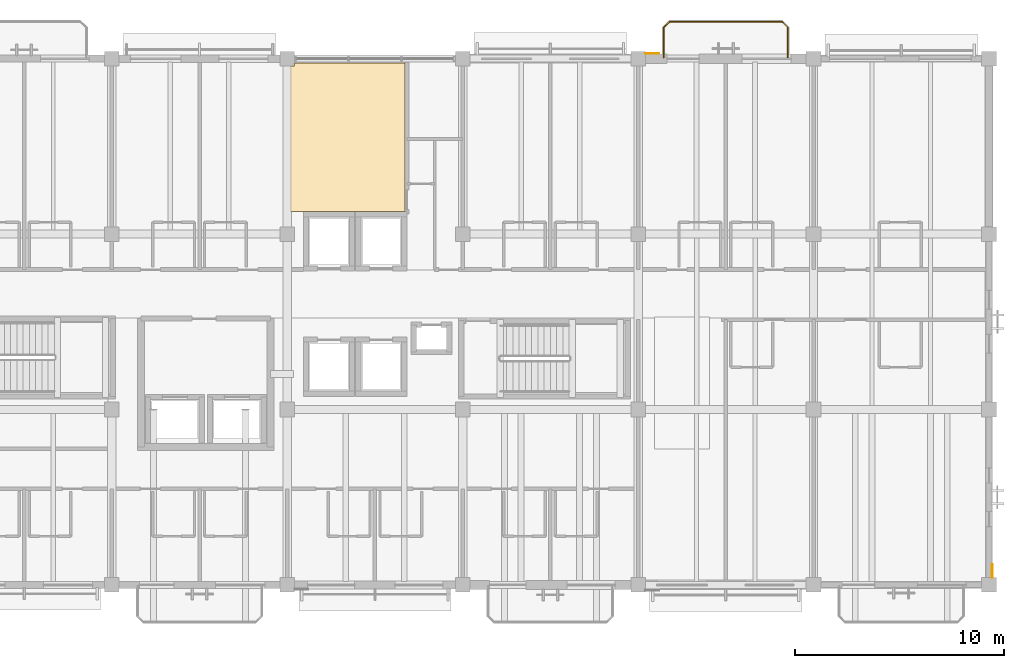
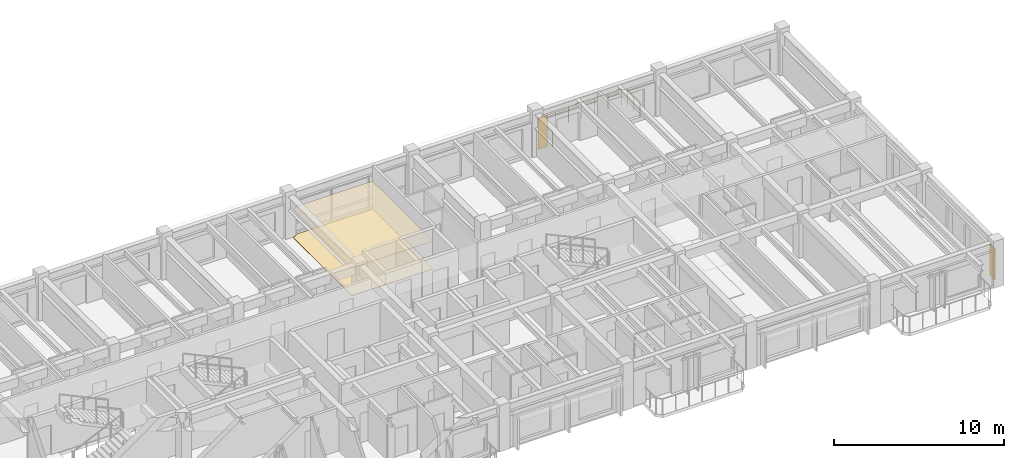
# One storey, part 18 of 18: 4 coverings, 1 railing.
"""IFC4 building model written with IfcOpenShell, lengths in metres."""

from ifc_helpers import new_model, si_unit, direction, frame, origin, origin_2d, place, context, subcontext, project, spatial, polyline, circle, outline, extrude, material, layer, layer_set, type_object, element, save


model = new_model("IFC4")

# Units and contexts
model_context = context("Model", 3, precision=1e-05, world=origin(), true_north=direction((0.0, 1.0)))
body_context = subcontext(model_context, "Body", "Model", "MODEL_VIEW")
ifc_project = project(units=[si_unit("LENGTHUNIT", "METRE"), si_unit("AREAUNIT", "SQUARE_METRE"), si_unit("VOLUMEUNIT", "CUBIC_METRE"), si_unit("PLANEANGLEUNIT", "RADIAN"), si_unit("MASSUNIT", "GRAM", prefix="KILO")], contexts=[model_context])

# Site, building, storey
site_placement = place(None, origin())
site = spatial("IfcSite", under=ifc_project, at=site_placement, CompositionType="ELEMENT")
building_placement = place(site_placement, origin())
building = spatial("IfcBuilding", under=site, at=building_placement, Name="Cumbredor Promenade Congress Hotel", CompositionType="ELEMENT")
storey_placement = place(building_placement, frame((0.0, 0.0, 25.199951171875)))
storey = spatial("IfcBuildingStorey", under=building, at=storey_placement, Name="L07", CompositionType="ELEMENT", Elevation=25.199951171875)

# Coverings
ifc_material_1 = material(Name="Acoustic mineral-fiber and gypsum ceiling")
ifc_layer_1 = layer(ifc_material_1, 0.028076171875, Name="Acoustic mineral-fiber and gypsum ceiling")
ifc_layer_set_1 = layer_set([ifc_layer_1], Name="Acoustic mineral-fiber and gypsum ceiling")
covering_type_1 = type_object("IfcCoveringType", Name="Acoustic Perforated Gypsum Ceiling CLG-03 28mm", PredefinedType="CEILING", material=ifc_layer_set_1)
covering_1_placement = place(storey_placement, frame((0.0, 0.0, 2.0009765625)))
element("IfcCovering", 1, at=covering_1_placement, inside=storey, type_object=covering_type_1, Name="L07 Cordillera Reading Salon Acoustic Ceiling", PredefinedType="CEILING", context=body_context, shape_type="SweptSolid", body=[
    extrude(outline(polyline([(39.239990234375, 117.39990234375), (39.239990234375, 110.280029296875), (33.72998046875, 110.280029296875), (33.72998046875, 117.2451171875), (33.955078125, 117.2451171875), (33.955078125, 117.39990234375), (39.239990234375, 117.39990234375)])), origin(), (0.0, 0.0, 1.0), 0.028076171875),
])
ifc_material_2 = material(Name="Precast concrete C40/50", Category="concrete")
ifc_layer_2 = layer(ifc_material_2, 0.044921875, Name="Precast concrete C40/50", Category="concrete")
ifc_layer_set_2 = layer_set([ifc_layer_2], Name="Precast concrete C40/50")
covering_type_2 = type_object("IfcCoveringType", Name="Board-Formed Architectural Cladding Panel 45mm", PredefinedType="CLADDING", material=ifc_layer_set_2)
covering_2_placement = place(storey_placement, origin())
element("IfcCovering", 2, at=covering_2_placement, inside=storey, type_object=covering_type_2, Name="L07 Facade Stone Cladding Pier 230", PredefinedType="CLADDING", context=body_context, shape_type="SweptSolid", body=[
    extrude(outline(polyline([(67.340087890625, 92.7509765625), (67.340087890625, 93.40087890625), (67.385009765625, 93.40087890625), (67.385009765625, 92.7509765625), (67.340087890625, 92.7509765625)])), origin(), (0.0, 0.0, 1.0), 2.25),
])
ifc_material_3 = material(Name="Porcelain stoneware tile", Category="masonry")
ifc_layer_3 = layer(ifc_material_3, 0.02490234375, Name="Porcelain stoneware tile", Category="masonry")
ifc_layer_set_3 = layer_set([ifc_layer_3], Name="Porcelain stoneware tile")
covering_type_3 = type_object("IfcCoveringType", Name="Porcelain Stoneware Flooring FLR-02 25mm", PredefinedType="FLOORING", material=ifc_layer_set_3)
covering_3_placement = place(storey_placement, origin())
element("IfcCovering", 3, at=covering_3_placement, inside=storey, type_object=covering_type_3, Name="L07 Cordillera Reading Salon Porcelain Flooring", PredefinedType="FLOORING", context=body_context, shape_type="SweptSolid", body=[
    extrude(outline(polyline([(39.239990234375, 117.39990234375), (39.239990234375, 110.280029296875), (33.72998046875, 110.280029296875), (33.72998046875, 117.2451171875), (33.955078125, 117.2451171875), (33.955078125, 117.39990234375), (39.239990234375, 117.39990234375)])), origin(), (0.0, 0.0, 1.0), 0.025146484375),
])

# Railing
ifc_material_4 = material(Name="Brushed stainless steel", Category="steel")
railing_type = type_object("IfcRailingType", Name="Sky Garden Glass-and-Steel Balustrade BAL-1150", PredefinedType="BALUSTRADE", material=ifc_material_4)
railing_placement = place(storey_placement, frame((51.6298828125, 117.64990234375, 0.0)))
element("IfcRailing", 4, at=railing_placement, inside=storey, type_object=railing_type, Name="L07 Veranda Balcony Balustrade 044", PredefinedType="BALUSTRADE", context=body_context, shape_type="SweptSolid", body=[
    extrude(circle(Radius=0.02392578125, at=origin_2d()), frame((0.0, 0.0, 1.1259765625), z_axis=(0.0, 1.0, 0.0), x_axis=(-1.0, 0.0, 0.0)), (0.0, 0.0, 1.0), 1.440185546875),
    extrude(circle(Radius=0.02392578125, at=origin_2d()), frame((0.0, 1.440185546875, 1.1259765625), z_axis=(0.707106781187, 0.707106781187, 0.0), x_axis=(-0.707106781187, 0.707106781187, 0.0)), (0.0, 0.0, 1.0), 0.39599609375),
    extrude(circle(Radius=0.02392578125, at=origin_2d()), frame((0.280029296875, 1.72021484375, 1.1259765625), z_axis=(1.0, 0.0, 0.0), x_axis=(0.0, 1.0, 0.0)), (0.0, 0.0, 1.0), 5.380126953125),
    extrude(circle(Radius=0.02392578125, at=origin_2d()), frame((5.66015625, 1.72021484375, 1.1259765625), z_axis=(0.707106781187, -0.707106781187, 0.0), x_axis=(0.707106781187, 0.707106781187, 0.0)), (0.0, 0.0, 1.0), 0.39599609375),
    extrude(circle(Radius=0.02392578125, at=origin_2d()), frame((5.940185546875, 1.440185546875, 1.1259765625), z_axis=(0.0, -1.0, 0.0), x_axis=(1.0, 0.0, 0.0)), (0.0, 0.0, 1.0), 1.440185546875),
    extrude(circle(Radius=0.02099609375, at=origin_2d()), origin(), (0.0, 0.0, 1.0), 1.101806640625),
    extrude(circle(Radius=0.02099609375, at=origin_2d()), frame((0.0, 0.72021484375, 0.0)), (0.0, 0.0, 1.0), 1.101806640625),
    extrude(circle(Radius=0.02099609375, at=origin_2d()), frame((0.0, 1.440185546875, 0.0)), (0.0, 0.0, 1.0), 1.101806640625),
    extrude(circle(Radius=0.02099609375, at=origin_2d()), frame((0.280029296875, 1.72021484375, 0.0)), (0.0, 0.0, 1.0), 1.101806640625),
    extrude(circle(Radius=0.02099609375, at=origin_2d()), frame((1.1767578125, 1.72021484375, 0.0)), (0.0, 0.0, 1.0), 1.101806640625),
    extrude(circle(Radius=0.02099609375, at=origin_2d()), frame((2.073486328125, 1.72021484375, 0.0)), (0.0, 0.0, 1.0), 1.101806640625),
    extrude(circle(Radius=0.02099609375, at=origin_2d()), frame((2.97021484375, 1.72021484375, 0.0)), (0.0, 0.0, 1.0), 1.101806640625),
    extrude(circle(Radius=0.02099609375, at=origin_2d()), frame((3.86669921875, 1.72021484375, 0.0)), (0.0, 0.0, 1.0), 1.101806640625),
    extrude(circle(Radius=0.02099609375, at=origin_2d()), frame((4.763427734375, 1.72021484375, 0.0)), (0.0, 0.0, 1.0), 1.101806640625),
    extrude(circle(Radius=0.02099609375, at=origin_2d()), frame((5.66015625, 1.72021484375, 0.0)), (0.0, 0.0, 1.0), 1.101806640625),
    extrude(circle(Radius=0.02099609375, at=origin_2d()), frame((5.940185546875, 1.440185546875, 0.0)), (0.0, 0.0, 1.0), 1.101806640625),
    extrude(circle(Radius=0.02099609375, at=origin_2d()), frame((5.940185546875, 0.72021484375, 0.0)), (0.0, 0.0, 1.0), 1.101806640625),
    extrude(circle(Radius=0.02099609375, at=origin_2d()), frame((5.940185546875, 0.0, 0.0)), (0.0, 0.0, 1.0), 1.101806640625),
])

# Covering
ifc_material_5 = material(Name="Volcanic andesite ashlar cladding", Category="masonry")
ifc_layer_4 = layer(ifc_material_5, 0.034912109375, Name="Volcanic andesite ashlar cladding", Category="masonry")
ifc_layer_set_4 = layer_set([ifc_layer_4], Name="Volcanic andesite ashlar cladding")
covering_type_4 = type_object("IfcCoveringType", Name="Volcanic Andesite Ashlar Rainscreen Cladding 35mm", PredefinedType="CLADDING", material=ifc_layer_set_4)
covering_4_placement = place(storey_placement, origin())
element("IfcCovering", 5, at=covering_4_placement, inside=storey, type_object=covering_type_4, Name="L07 Facade Stone Cladding Pier 227", PredefinedType="CLADDING", context=body_context, shape_type="SweptSolid", body=[
    extrude(outline(polyline([(50.7509765625, 117.824951171875), (51.40087890625, 117.824951171875), (51.40087890625, 117.860107421875), (50.7509765625, 117.860107421875), (50.7509765625, 117.824951171875)])), origin(), (0.0, 0.0, 1.0), 2.25),
])

save(model, "model.ifc")
